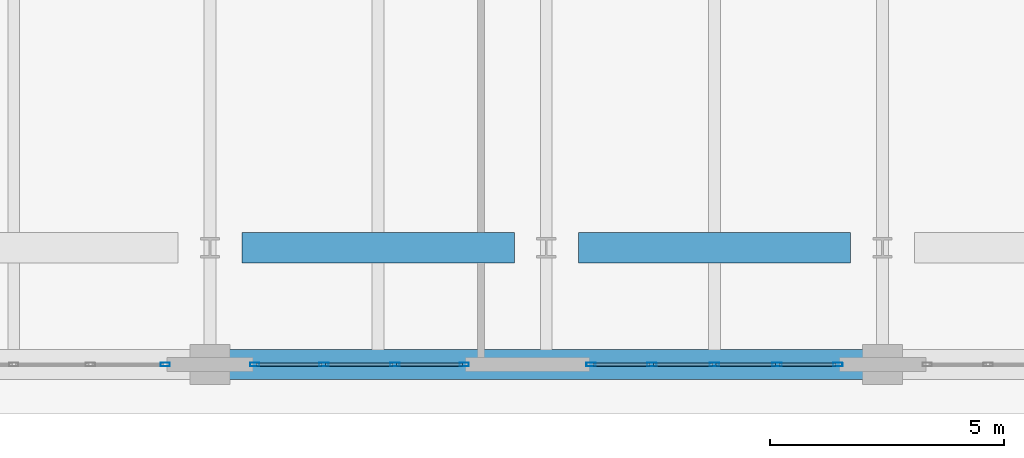
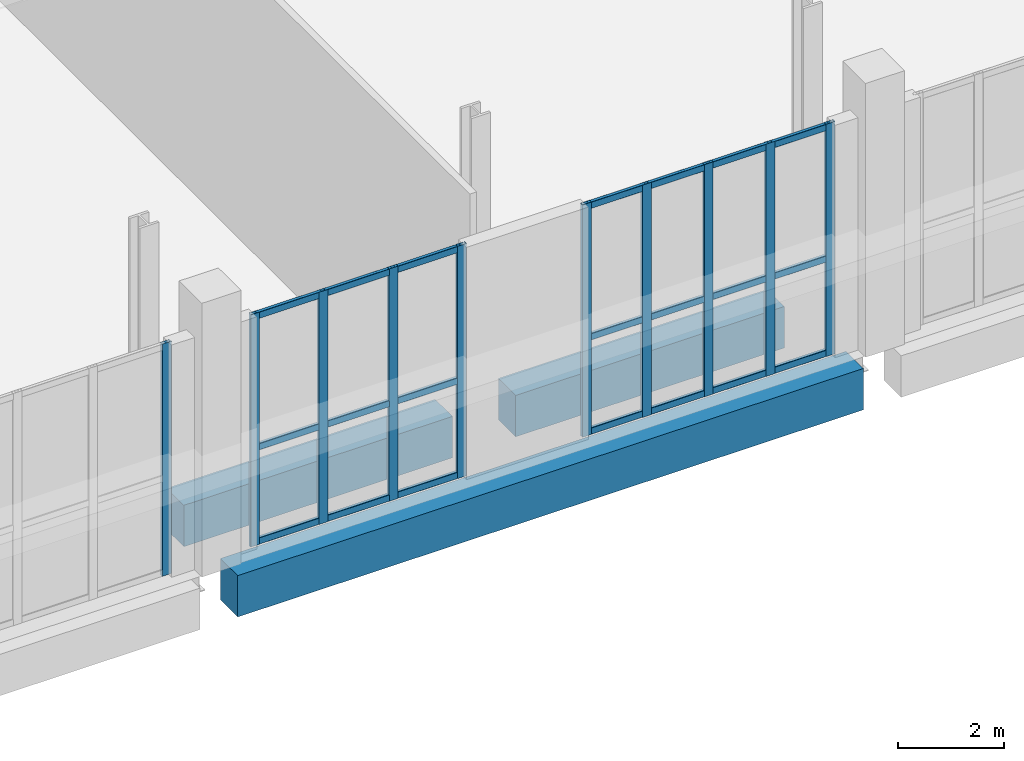
# One storey, part 14 of 29: 31 members, 3 beams, 3 elements without a shape of their own.
"""IFC4 building model written with IfcOpenShell, lengths in metres."""

from ifc_helpers import new_model, si_unit, direction, frame, origin, origin_2d, place, context, subcontext, project, spatial, rectangle, hollow_rectangle, extrude, material, layer, layer_set, material_profile, profile_set, type_object, element, aggregate, save


model = new_model("IFC4")

# Units and contexts
model_context = context("Model", 3, precision=1e-05, world=origin(), true_north=direction((0.0, 1.0)))
body_context = subcontext(model_context, "Body", "Model", "MODEL_VIEW")
ifc_project = project(units=[si_unit("LENGTHUNIT", "METRE"), si_unit("AREAUNIT", "SQUARE_METRE"), si_unit("VOLUMEUNIT", "CUBIC_METRE"), si_unit("PLANEANGLEUNIT", "RADIAN"), si_unit("MASSUNIT", "GRAM", prefix="KILO")], contexts=[model_context])

# Site, building, storey
site_placement = place(None, origin())
site = spatial("IfcSite", under=ifc_project, at=site_placement, CompositionType="ELEMENT")
building_placement = place(site_placement, origin())
building = spatial("IfcBuilding", under=site, at=building_placement, Name="Kaelvorn Grand Hotel", CompositionType="ELEMENT")
storey_placement = place(building_placement, frame((0.0, 0.0, 19.39990234375)))
storey = spatial("IfcBuildingStorey", under=building, at=storey_placement, Name="L03", CompositionType="ELEMENT", Elevation=19.39990234375)

# Beams
ifc_material_1 = material(Name="Concrete C60/75", Category="concrete")
ifc_material_profile_1 = material_profile(ifc_material_1, rectangle(XDim=0.64990234375, YDim=0.949951171875, at=origin_2d()), Name="RC SPANDREL 650x950")
ifc_profile_set_1 = profile_set([ifc_material_profile_1], Name="Concrete C60/75")
beam_type = type_object("IfcBeamType", Name="BM-SP-650x950-C60", PredefinedType="SPANDREL", material=ifc_profile_set_1)
beam_placement = place(storey_placement, frame((46.610107421875, -2.5, -0.794921875), z_axis=(1.0, 0.0, 0.0), x_axis=(0.0, 1.0, 0.0)))
element("IfcBeam", 1, at=beam_placement, inside=storey, type_object=beam_type, Name="L03 South Perimeter Spandrel 05", PredefinedType="SPANDREL", context=body_context, shape_type="SweptSolid", body=[
    extrude(rectangle(XDim=0.64990234375, YDim=0.949951171875, at=origin_2d()), origin(), (0.0, 0.0, 1.0), 13.579833984375),
])
for number, where, z_axis, x_axis, name in (
    (2, (46.885009765625, 0.0, -0.794921875), (1.0, 0.0, 0.0), (0.0, 1.0, 0.0), "L03 Tower Line South Girder 06"),
    (3, (54.0849609375, 0.0, -0.794921875), (1.0, 0.0, 0.0), (0.0, 1.0, 0.0), "L03 Tower Line South Girder 07"),
):
    element("IfcBeam", number, at=place(storey_placement, frame(where, z_axis=z_axis, x_axis=x_axis)), inside=storey, type_object=beam_type, Name=name, PredefinedType="SPANDREL", context=body_context, shape_type="SweptSolid", body=[
        extrude(rectangle(XDim=0.64990234375, YDim=0.949951171875, at=origin_2d()), origin(), (0.0, 0.0, 1.0), 5.830078125),
    ])

# Curtain wall, member
ifc_material_2 = material(Name="Anodised Aluminium", Category="aluminium")
ifc_layer = layer(ifc_material_2, 0.199951171875)
ifc_layer_set = layer_set([ifc_layer], Name="Anodised Aluminium")
curtain_wall_type = type_object("IfcCurtainWallType", Name="CW-SYS2", PredefinedType="NOTDEFINED", material=ifc_layer_set)
curtain_wall_1_placement = place(storey_placement, origin())
curtain_wall_1 = element("IfcCurtainWall", 4, at=curtain_wall_1_placement, inside=storey, type_object=curtain_wall_type, Name="L03 Unitised Curtain Wall CW2 (CW-L03-S-04)", PredefinedType="NOTDEFINED")
ifc_material_profile_2 = material_profile(ifc_material_2, hollow_rectangle(XDim=0.074951171875, YDim=0.199951171875, WallThickness=0.00390625, InnerFilletRadius=0.00390625, OuterFilletRadius=0.008056640625, at=origin_2d()), Name="ALU MULL 75x200")
ifc_profile_set_2 = profile_set([ifc_material_profile_2], Name="Anodised Aluminium")
member_type_1 = type_object("IfcMemberType", Name="CW-SYS2-MULL", PredefinedType="MULLION", material=ifc_profile_set_2)
member_1_placement = place(storey_placement, frame((45.242431640625, -2.5, 0.0), z_axis=(0.0, 0.0, 1.0), x_axis=(0.0, 1.0, 0.0)))
member_1 = element("IfcMember", 5, at=member_1_placement, type_object=member_type_1, Name="CW2 mullion 5", PredefinedType="MULLION", context=body_context, shape_type="SweptSolid", body=[
    extrude(hollow_rectangle(XDim=0.074951171875, YDim=0.199951171875, WallThickness=0.00390625, InnerFilletRadius=0.00390625, OuterFilletRadius=0.008056640625, at=origin_2d()), origin(), (0.0, 0.0, 1.0), 5.330078125),
])
aggregate(curtain_wall_1, [member_1])

# Curtain wall, members
curtain_wall_2_placement = place(storey_placement, origin())
curtain_wall_2 = element("IfcCurtainWall", 6, at=curtain_wall_2_placement, inside=storey, type_object=curtain_wall_type, Name="L03 Unitised Curtain Wall CW2 (CW-L03-S-05)", PredefinedType="NOTDEFINED")
member_2_placement = place(storey_placement, frame((47.157470703125, -2.5, 0.0), z_axis=(0.0, 0.0, 1.0), x_axis=(0.0, 1.0, 0.0)))
member_2 = element("IfcMember", 7, at=member_2_placement, type_object=member_type_1, Name="CW2 mullion 1", PredefinedType="MULLION", context=body_context, shape_type="SweptSolid", body=[
    extrude(hollow_rectangle(XDim=0.074951171875, YDim=0.199951171875, WallThickness=0.00390625, InnerFilletRadius=0.00390625, OuterFilletRadius=0.008056640625, at=origin_2d()), origin(), (0.0, 0.0, 1.0), 5.330078125),
])
member_3_placement = place(storey_placement, frame((48.639892578125, -2.5, 0.0), z_axis=(0.0, 0.0, 1.0), x_axis=(0.0, 1.0, 0.0)))
member_3 = element("IfcMember", 8, at=member_3_placement, type_object=member_type_1, Name="CW2 mullion 2", PredefinedType="MULLION", context=body_context, shape_type="SweptSolid", body=[
    extrude(hollow_rectangle(XDim=0.074951171875, YDim=0.199951171875, WallThickness=0.00390625, InnerFilletRadius=0.00390625, OuterFilletRadius=0.008056640625, at=origin_2d()), origin(), (0.0, 0.0, 1.0), 5.330078125),
])
member_4_placement = place(storey_placement, frame((50.159912109375, -2.5, 0.0), z_axis=(0.0, 0.0, 1.0), x_axis=(0.0, 1.0, 0.0)))
member_4 = element("IfcMember", 9, at=member_4_placement, type_object=member_type_1, Name="CW2 mullion 3", PredefinedType="MULLION", context=body_context, shape_type="SweptSolid", body=[
    extrude(hollow_rectangle(XDim=0.074951171875, YDim=0.199951171875, WallThickness=0.00390625, InnerFilletRadius=0.00390625, OuterFilletRadius=0.008056640625, at=origin_2d()), origin(), (0.0, 0.0, 1.0), 5.330078125),
])
member_5_placement = place(storey_placement, frame((51.642578125, -2.5, 0.0), z_axis=(0.0, 0.0, 1.0), x_axis=(0.0, 1.0, 0.0)))
member_5 = element("IfcMember", 10, at=member_5_placement, type_object=member_type_1, Name="CW2 mullion 4", PredefinedType="MULLION", context=body_context, shape_type="SweptSolid", body=[
    extrude(hollow_rectangle(XDim=0.074951171875, YDim=0.199951171875, WallThickness=0.00390625, InnerFilletRadius=0.00390625, OuterFilletRadius=0.008056640625, at=origin_2d()), origin(), (0.0, 0.0, 1.0), 5.330078125),
])

curtain_wall_3_placement = place(storey_placement, origin())
curtain_wall_3 = element("IfcCurtainWall", 11, at=curtain_wall_3_placement, inside=storey, type_object=curtain_wall_type, Name="L03 Unitised Curtain Wall CW2 (CW-L03-S-06)", PredefinedType="NOTDEFINED")
member_6_placement = place(storey_placement, frame((54.357421875, -2.5, 0.0), z_axis=(0.0, 0.0, 1.0), x_axis=(0.0, 1.0, 0.0)))
member_6 = element("IfcMember", 12, at=member_6_placement, type_object=member_type_1, Name="CW2 mullion 1", PredefinedType="MULLION", context=body_context, shape_type="SweptSolid", body=[
    extrude(hollow_rectangle(XDim=0.074951171875, YDim=0.199951171875, WallThickness=0.00390625, InnerFilletRadius=0.00390625, OuterFilletRadius=0.008056640625, at=origin_2d()), origin(), (0.0, 0.0, 1.0), 5.330078125),
])
member_7_placement = place(storey_placement, frame((55.659912109375, -2.5, 0.0), z_axis=(0.0, 0.0, 1.0), x_axis=(0.0, 1.0, 0.0)))
member_7 = element("IfcMember", 13, at=member_7_placement, type_object=member_type_1, Name="CW2 mullion 2", PredefinedType="MULLION", context=body_context, shape_type="SweptSolid", body=[
    extrude(hollow_rectangle(XDim=0.074951171875, YDim=0.199951171875, WallThickness=0.00390625, InnerFilletRadius=0.00390625, OuterFilletRadius=0.008056640625, at=origin_2d()), origin(), (0.0, 0.0, 1.0), 5.330078125),
])
member_8_placement = place(storey_placement, frame((57.0, -2.5, 0.0), z_axis=(0.0, 0.0, 1.0), x_axis=(0.0, 1.0, 0.0)))
member_8 = element("IfcMember", 14, at=member_8_placement, type_object=member_type_1, Name="CW2 mullion 3", PredefinedType="MULLION", context=body_context, shape_type="SweptSolid", body=[
    extrude(hollow_rectangle(XDim=0.074951171875, YDim=0.199951171875, WallThickness=0.00390625, InnerFilletRadius=0.00390625, OuterFilletRadius=0.008056640625, at=origin_2d()), origin(), (0.0, 0.0, 1.0), 5.330078125),
])
member_9_placement = place(storey_placement, frame((58.340087890625, -2.5, 0.0), z_axis=(0.0, 0.0, 1.0), x_axis=(0.0, 1.0, 0.0)))
member_9 = element("IfcMember", 15, at=member_9_placement, type_object=member_type_1, Name="CW2 mullion 4", PredefinedType="MULLION", context=body_context, shape_type="SweptSolid", body=[
    extrude(hollow_rectangle(XDim=0.074951171875, YDim=0.199951171875, WallThickness=0.00390625, InnerFilletRadius=0.00390625, OuterFilletRadius=0.008056640625, at=origin_2d()), origin(), (0.0, 0.0, 1.0), 5.330078125),
])
member_10_placement = place(storey_placement, frame((59.642578125, -2.5, 0.0), z_axis=(0.0, 0.0, 1.0), x_axis=(0.0, 1.0, 0.0)))
member_10 = element("IfcMember", 16, at=member_10_placement, type_object=member_type_1, Name="CW2 mullion 5", PredefinedType="MULLION", context=body_context, shape_type="SweptSolid", body=[
    extrude(hollow_rectangle(XDim=0.074951171875, YDim=0.199951171875, WallThickness=0.00390625, InnerFilletRadius=0.00390625, OuterFilletRadius=0.008056640625, at=origin_2d()), origin(), (0.0, 0.0, 1.0), 5.330078125),
])

# Member
ifc_material_profile_3 = material_profile(ifc_material_2, hollow_rectangle(XDim=0.074951171875, YDim=0.14990234375, WallThickness=0.00390625, InnerFilletRadius=0.00390625, OuterFilletRadius=0.008056640625, at=origin_2d()), Name="ALU TRAN 75x150")
ifc_profile_set_3 = profile_set([ifc_material_profile_3], Name="Anodised Aluminium")
member_type_2 = type_object("IfcMemberType", Name="CW-SYS2-TRAN", PredefinedType="NOTDEFINED", material=ifc_profile_set_3)
member_11_placement = place(storey_placement, frame((47.195068359375, -2.5, 0.0751953125), z_axis=(1.0, 0.0, 0.0), x_axis=(0.0, 1.0, 0.0)))
member_11 = element("IfcMember", 17, at=member_11_placement, type_object=member_type_2, Name="CW2 transom 1.1", ObjectType="TRANSOM", PredefinedType="USERDEFINED", context=body_context, shape_type="SweptSolid", body=[
    extrude(hollow_rectangle(XDim=0.074951171875, YDim=0.14990234375, WallThickness=0.00390625, InnerFilletRadius=0.00390625, OuterFilletRadius=0.008056640625, at=origin_2d()), origin(), (0.0, 0.0, 1.0), 1.407470703125),
])

member_12_placement = place(storey_placement, frame((47.195068359375, -2.5, 2.23876953125), z_axis=(1.0, 0.0, 0.0), x_axis=(0.0, 1.0, 0.0)))
member_12 = element("IfcMember", 18, at=member_12_placement, type_object=member_type_2, Name="CW2 transom 1.2", ObjectType="TRANSOM", PredefinedType="USERDEFINED", context=body_context, shape_type="SweptSolid", body=[
    extrude(hollow_rectangle(XDim=0.074951171875, YDim=0.14990234375, WallThickness=0.00390625, InnerFilletRadius=0.00390625, OuterFilletRadius=0.008056640625, at=origin_2d()), origin(), (0.0, 0.0, 1.0), 1.407470703125),
])

member_13_placement = place(storey_placement, frame((47.195068359375, -2.5, 5.255126953125), z_axis=(1.0, 0.0, 0.0), x_axis=(0.0, 1.0, 0.0)))
member_13 = element("IfcMember", 19, at=member_13_placement, type_object=member_type_2, Name="CW2 transom 1.3", ObjectType="TRANSOM", PredefinedType="USERDEFINED", context=body_context, shape_type="SweptSolid", body=[
    extrude(hollow_rectangle(XDim=0.074951171875, YDim=0.14990234375, WallThickness=0.00390625, InnerFilletRadius=0.00390625, OuterFilletRadius=0.008056640625, at=origin_2d()), origin(), (0.0, 0.0, 1.0), 1.407470703125),
])

member_14_placement = place(storey_placement, frame((48.677490234375, -2.5, 0.0751953125), z_axis=(1.0, 0.0, 0.0), x_axis=(0.0, 1.0, 0.0)))
member_14 = element("IfcMember", 20, at=member_14_placement, type_object=member_type_2, Name="CW2 transom 2.1", ObjectType="TRANSOM", PredefinedType="USERDEFINED", context=body_context, shape_type="SweptSolid", body=[
    extrude(hollow_rectangle(XDim=0.074951171875, YDim=0.14990234375, WallThickness=0.00390625, InnerFilletRadius=0.00390625, OuterFilletRadius=0.008056640625, at=origin_2d()), origin(), (0.0, 0.0, 1.0), 1.445068359375),
])

member_15_placement = place(storey_placement, frame((48.677490234375, -2.5, 2.23876953125), z_axis=(1.0, 0.0, 0.0), x_axis=(0.0, 1.0, 0.0)))
member_15 = element("IfcMember", 21, at=member_15_placement, type_object=member_type_2, Name="CW2 transom 2.2", ObjectType="TRANSOM", PredefinedType="USERDEFINED", context=body_context, shape_type="SweptSolid", body=[
    extrude(hollow_rectangle(XDim=0.074951171875, YDim=0.14990234375, WallThickness=0.00390625, InnerFilletRadius=0.00390625, OuterFilletRadius=0.008056640625, at=origin_2d()), origin(), (0.0, 0.0, 1.0), 1.445068359375),
])

member_16_placement = place(storey_placement, frame((48.677490234375, -2.5, 5.255126953125), z_axis=(1.0, 0.0, 0.0), x_axis=(0.0, 1.0, 0.0)))
member_16 = element("IfcMember", 22, at=member_16_placement, type_object=member_type_2, Name="CW2 transom 2.3", ObjectType="TRANSOM", PredefinedType="USERDEFINED", context=body_context, shape_type="SweptSolid", body=[
    extrude(hollow_rectangle(XDim=0.074951171875, YDim=0.14990234375, WallThickness=0.00390625, InnerFilletRadius=0.00390625, OuterFilletRadius=0.008056640625, at=origin_2d()), origin(), (0.0, 0.0, 1.0), 1.445068359375),
])

member_17_placement = place(storey_placement, frame((50.197509765625, -2.5, 0.0751953125), z_axis=(1.0, 0.0, 0.0), x_axis=(0.0, 1.0, 0.0)))
member_17 = element("IfcMember", 23, at=member_17_placement, type_object=member_type_2, Name="CW2 transom 3.1", ObjectType="TRANSOM", PredefinedType="USERDEFINED", context=body_context, shape_type="SweptSolid", body=[
    extrude(hollow_rectangle(XDim=0.074951171875, YDim=0.14990234375, WallThickness=0.00390625, InnerFilletRadius=0.00390625, OuterFilletRadius=0.008056640625, at=origin_2d()), origin(), (0.0, 0.0, 1.0), 1.407470703125),
])

member_18_placement = place(storey_placement, frame((50.197509765625, -2.5, 2.23876953125), z_axis=(1.0, 0.0, 0.0), x_axis=(0.0, 1.0, 0.0)))
member_18 = element("IfcMember", 24, at=member_18_placement, type_object=member_type_2, Name="CW2 transom 3.2", ObjectType="TRANSOM", PredefinedType="USERDEFINED", context=body_context, shape_type="SweptSolid", body=[
    extrude(hollow_rectangle(XDim=0.074951171875, YDim=0.14990234375, WallThickness=0.00390625, InnerFilletRadius=0.00390625, OuterFilletRadius=0.008056640625, at=origin_2d()), origin(), (0.0, 0.0, 1.0), 1.407470703125),
])

member_19_placement = place(storey_placement, frame((50.197509765625, -2.5, 5.255126953125), z_axis=(1.0, 0.0, 0.0), x_axis=(0.0, 1.0, 0.0)))
member_19 = element("IfcMember", 25, at=member_19_placement, type_object=member_type_2, Name="CW2 transom 3.3", ObjectType="TRANSOM", PredefinedType="USERDEFINED", context=body_context, shape_type="SweptSolid", body=[
    extrude(hollow_rectangle(XDim=0.074951171875, YDim=0.14990234375, WallThickness=0.00390625, InnerFilletRadius=0.00390625, OuterFilletRadius=0.008056640625, at=origin_2d()), origin(), (0.0, 0.0, 1.0), 1.407470703125),
])

aggregate(curtain_wall_2, [member_2, member_3, member_4, member_5, member_11, member_12, member_13, member_14, member_15, member_16, member_17, member_18, member_19])

member_20_placement = place(storey_placement, frame((54.39501953125, -2.5, 0.0751953125), z_axis=(1.0, 0.0, 0.0), x_axis=(0.0, 1.0, 0.0)))
member_20 = element("IfcMember", 26, at=member_20_placement, type_object=member_type_2, Name="CW2 transom 1.1", ObjectType="TRANSOM", PredefinedType="USERDEFINED", context=body_context, shape_type="SweptSolid", body=[
    extrude(hollow_rectangle(XDim=0.074951171875, YDim=0.14990234375, WallThickness=0.00390625, InnerFilletRadius=0.00390625, OuterFilletRadius=0.008056640625, at=origin_2d()), origin(), (0.0, 0.0, 1.0), 1.2275390625),
])

member_21_placement = place(storey_placement, frame((54.39501953125, -2.5, 2.23876953125), z_axis=(1.0, 0.0, 0.0), x_axis=(0.0, 1.0, 0.0)))
member_21 = element("IfcMember", 27, at=member_21_placement, type_object=member_type_2, Name="CW2 transom 1.2", ObjectType="TRANSOM", PredefinedType="USERDEFINED", context=body_context, shape_type="SweptSolid", body=[
    extrude(hollow_rectangle(XDim=0.074951171875, YDim=0.14990234375, WallThickness=0.00390625, InnerFilletRadius=0.00390625, OuterFilletRadius=0.008056640625, at=origin_2d()), origin(), (0.0, 0.0, 1.0), 1.2275390625),
])

member_22_placement = place(storey_placement, frame((54.39501953125, -2.5, 5.255126953125), z_axis=(1.0, 0.0, 0.0), x_axis=(0.0, 1.0, 0.0)))
member_22 = element("IfcMember", 28, at=member_22_placement, type_object=member_type_2, Name="CW2 transom 1.3", ObjectType="TRANSOM", PredefinedType="USERDEFINED", context=body_context, shape_type="SweptSolid", body=[
    extrude(hollow_rectangle(XDim=0.074951171875, YDim=0.14990234375, WallThickness=0.00390625, InnerFilletRadius=0.00390625, OuterFilletRadius=0.008056640625, at=origin_2d()), origin(), (0.0, 0.0, 1.0), 1.2275390625),
])

member_23_placement = place(storey_placement, frame((55.697509765625, -2.5, 0.0751953125), z_axis=(1.0, 0.0, 0.0), x_axis=(0.0, 1.0, 0.0)))
member_23 = element("IfcMember", 29, at=member_23_placement, type_object=member_type_2, Name="CW2 transom 2.1", ObjectType="TRANSOM", PredefinedType="USERDEFINED", context=body_context, shape_type="SweptSolid", body=[
    extrude(hollow_rectangle(XDim=0.074951171875, YDim=0.14990234375, WallThickness=0.00390625, InnerFilletRadius=0.00390625, OuterFilletRadius=0.008056640625, at=origin_2d()), origin(), (0.0, 0.0, 1.0), 1.264892578125),
])

member_24_placement = place(storey_placement, frame((55.697509765625, -2.5, 2.23876953125), z_axis=(1.0, 0.0, 0.0), x_axis=(0.0, 1.0, 0.0)))
member_24 = element("IfcMember", 30, at=member_24_placement, type_object=member_type_2, Name="CW2 transom 2.2", ObjectType="TRANSOM", PredefinedType="USERDEFINED", context=body_context, shape_type="SweptSolid", body=[
    extrude(hollow_rectangle(XDim=0.074951171875, YDim=0.14990234375, WallThickness=0.00390625, InnerFilletRadius=0.00390625, OuterFilletRadius=0.008056640625, at=origin_2d()), origin(), (0.0, 0.0, 1.0), 1.264892578125),
])

member_25_placement = place(storey_placement, frame((55.697509765625, -2.5, 5.255126953125), z_axis=(1.0, 0.0, 0.0), x_axis=(0.0, 1.0, 0.0)))
member_25 = element("IfcMember", 31, at=member_25_placement, type_object=member_type_2, Name="CW2 transom 2.3", ObjectType="TRANSOM", PredefinedType="USERDEFINED", context=body_context, shape_type="SweptSolid", body=[
    extrude(hollow_rectangle(XDim=0.074951171875, YDim=0.14990234375, WallThickness=0.00390625, InnerFilletRadius=0.00390625, OuterFilletRadius=0.008056640625, at=origin_2d()), origin(), (0.0, 0.0, 1.0), 1.264892578125),
])

member_26_placement = place(storey_placement, frame((57.03759765625, -2.5, 0.0751953125), z_axis=(1.0, 0.0, 0.0), x_axis=(0.0, 1.0, 0.0)))
member_26 = element("IfcMember", 32, at=member_26_placement, type_object=member_type_2, Name="CW2 transom 3.1", ObjectType="TRANSOM", PredefinedType="USERDEFINED", context=body_context, shape_type="SweptSolid", body=[
    extrude(hollow_rectangle(XDim=0.074951171875, YDim=0.14990234375, WallThickness=0.00390625, InnerFilletRadius=0.00390625, OuterFilletRadius=0.008056640625, at=origin_2d()), origin(), (0.0, 0.0, 1.0), 1.264892578125),
])

member_27_placement = place(storey_placement, frame((57.03759765625, -2.5, 2.23876953125), z_axis=(1.0, 0.0, 0.0), x_axis=(0.0, 1.0, 0.0)))
member_27 = element("IfcMember", 33, at=member_27_placement, type_object=member_type_2, Name="CW2 transom 3.2", ObjectType="TRANSOM", PredefinedType="USERDEFINED", context=body_context, shape_type="SweptSolid", body=[
    extrude(hollow_rectangle(XDim=0.074951171875, YDim=0.14990234375, WallThickness=0.00390625, InnerFilletRadius=0.00390625, OuterFilletRadius=0.008056640625, at=origin_2d()), origin(), (0.0, 0.0, 1.0), 1.264892578125),
])

member_28_placement = place(storey_placement, frame((57.03759765625, -2.5, 5.255126953125), z_axis=(1.0, 0.0, 0.0), x_axis=(0.0, 1.0, 0.0)))
member_28 = element("IfcMember", 34, at=member_28_placement, type_object=member_type_2, Name="CW2 transom 3.3", ObjectType="TRANSOM", PredefinedType="USERDEFINED", context=body_context, shape_type="SweptSolid", body=[
    extrude(hollow_rectangle(XDim=0.074951171875, YDim=0.14990234375, WallThickness=0.00390625, InnerFilletRadius=0.00390625, OuterFilletRadius=0.008056640625, at=origin_2d()), origin(), (0.0, 0.0, 1.0), 1.264892578125),
])

member_29_placement = place(storey_placement, frame((58.37744140625, -2.5, 0.0751953125), z_axis=(1.0, 0.0, 0.0), x_axis=(0.0, 1.0, 0.0)))
member_29 = element("IfcMember", 35, at=member_29_placement, type_object=member_type_2, Name="CW2 transom 4.1", ObjectType="TRANSOM", PredefinedType="USERDEFINED", context=body_context, shape_type="SweptSolid", body=[
    extrude(hollow_rectangle(XDim=0.074951171875, YDim=0.14990234375, WallThickness=0.00390625, InnerFilletRadius=0.00390625, OuterFilletRadius=0.008056640625, at=origin_2d()), origin(), (0.0, 0.0, 1.0), 1.2275390625),
])

member_30_placement = place(storey_placement, frame((58.37744140625, -2.5, 2.23876953125), z_axis=(1.0, 0.0, 0.0), x_axis=(0.0, 1.0, 0.0)))
member_30 = element("IfcMember", 36, at=member_30_placement, type_object=member_type_2, Name="CW2 transom 4.2", ObjectType="TRANSOM", PredefinedType="USERDEFINED", context=body_context, shape_type="SweptSolid", body=[
    extrude(hollow_rectangle(XDim=0.074951171875, YDim=0.14990234375, WallThickness=0.00390625, InnerFilletRadius=0.00390625, OuterFilletRadius=0.008056640625, at=origin_2d()), origin(), (0.0, 0.0, 1.0), 1.2275390625),
])

member_31_placement = place(storey_placement, frame((58.37744140625, -2.5, 5.255126953125), z_axis=(1.0, 0.0, 0.0), x_axis=(0.0, 1.0, 0.0)))
member_31 = element("IfcMember", 37, at=member_31_placement, type_object=member_type_2, Name="CW2 transom 4.3", ObjectType="TRANSOM", PredefinedType="USERDEFINED", context=body_context, shape_type="SweptSolid", body=[
    extrude(hollow_rectangle(XDim=0.074951171875, YDim=0.14990234375, WallThickness=0.00390625, InnerFilletRadius=0.00390625, OuterFilletRadius=0.008056640625, at=origin_2d()), origin(), (0.0, 0.0, 1.0), 1.2275390625),
])

aggregate(curtain_wall_3, [member_6, member_7, member_8, member_9, member_10, member_20, member_21, member_22, member_23, member_24, member_25, member_26, member_27, member_28, member_29, member_30, member_31])

save(model, "model.ifc")
